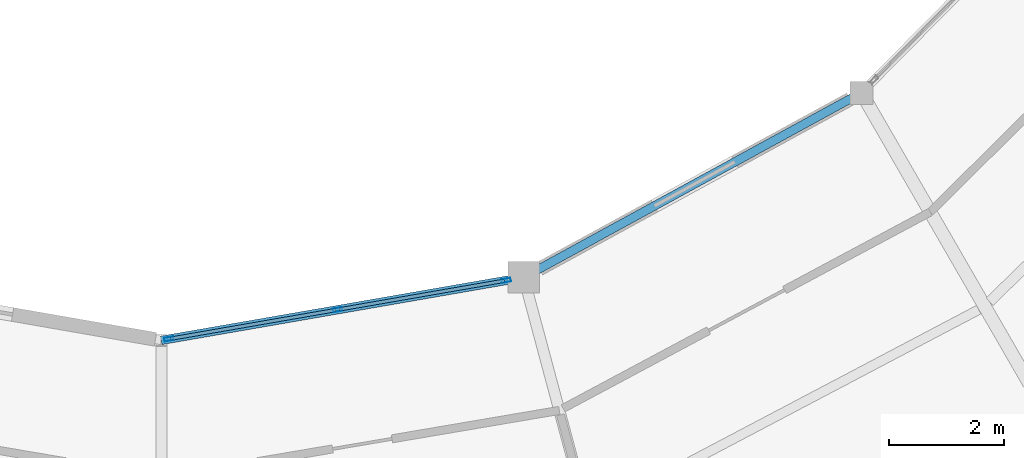
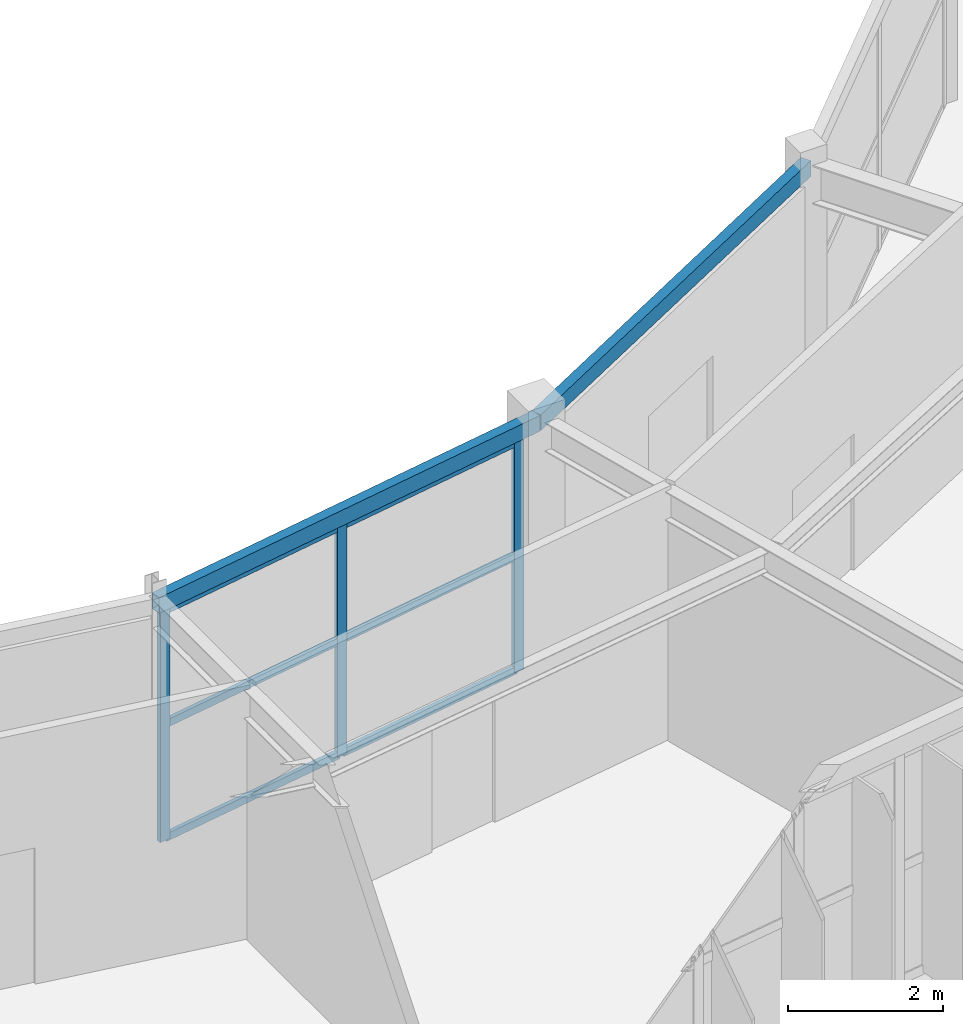
# One storey, part 44 of 130: 9 members, 2 beams, 1 element without a shape of its own.
"""IFC4 building model written with IfcOpenShell, lengths in metres."""

from ifc_helpers import new_model, si_unit, direction, frame, origin, origin_2d, place, context, subcontext, project, spatial, hollow_rectangle, extrude, material, material_profile, profile_set, type_object, element, aggregate, save


model = new_model("IFC4")

# Units and contexts
model_context = context("Model", 3, precision=1e-05, world=origin(), true_north=direction((0.0, 1.0)))
body_context = subcontext(model_context, "Body", "Model", "MODEL_VIEW")
ifc_project = project(units=[si_unit("LENGTHUNIT", "METRE"), si_unit("AREAUNIT", "SQUARE_METRE"), si_unit("VOLUMEUNIT", "CUBIC_METRE"), si_unit("PLANEANGLEUNIT", "RADIAN"), si_unit("MASSUNIT", "GRAM", prefix="KILO")], contexts=[model_context])

# Site, building, storey
site_placement = place(None, origin())
site = spatial("IfcSite", under=ifc_project, at=site_placement, CompositionType="ELEMENT")
building_placement = place(site_placement, origin())
building = spatial("IfcBuilding", under=site, at=building_placement, Name="Karori Crest Natural Sciences Institute", CompositionType="ELEMENT")
storey_placement = place(building_placement, frame((0.0, 0.0, 17.5)))
storey = spatial("IfcBuildingStorey", under=building, at=storey_placement, Name="L04", CompositionType="ELEMENT", Elevation=17.5)

# Beams
ifc_material_1 = material(Name="Hollow structural steel AS/NZS 1163 Grade C350", Category="steel")
ifc_material_profile_1 = material_profile(ifc_material_1, hollow_rectangle(XDim=0.14990234375, YDim=0.25, WallThickness=0.009033203125, at=origin_2d()), Name="RHS250x150x9")
ifc_profile_set_1 = profile_set([ifc_material_profile_1], Name="Hollow structural steel AS/NZS 1163 Grade C350")
beam_type = type_object("IfcBeamType", Name="BT-16", PredefinedType="SPANDREL", material=ifc_profile_set_1)
beam_1_placement = place(storey_placement, frame((66.39990234375, 17.699951171875, 3.7900390625), z_axis=(0.985241372425, 0.17117078624, 0.0), x_axis=(-0.17117078624, 0.985241372425, 0.0)))
element("IfcBeam", 1, at=beam_1_placement, inside=storey, type_object=beam_type, Name="Beam B-0519", PredefinedType="SPANDREL", context=body_context, shape_type="SweptSolid", body=[
    extrude(hollow_rectangle(XDim=0.14990234375, YDim=0.25, WallThickness=0.009033203125, at=origin_2d()), origin(), (0.0, 0.0, 1.0), 6.40966796875),
])
beam_2_placement = place(storey_placement, frame((72.715087890625, 18.797119140625, 3.7900390625), z_axis=(0.877469531616, 0.47963238119, 0.0), x_axis=(-0.47963238119, 0.877469531616, 0.0)))
element("IfcBeam", 2, at=beam_2_placement, inside=storey, type_object=beam_type, Name="Beam B-0523", PredefinedType="SPANDREL", context=body_context, shape_type="SweptSolid", body=[
    extrude(hollow_rectangle(XDim=0.14990234375, YDim=0.25, WallThickness=0.009033203125, at=origin_2d()), origin(), (0.0, 0.0, 1.0), 6.706787109375),
])

# Curtain wall, members
ifc_material_2 = material(Name="Anodised architectural aluminium 6063-T6", Category="aluminium")
curtain_wall_type = type_object("IfcCurtainWallType", Name="CWT-14", PredefinedType="NOTDEFINED", material=ifc_material_2)
curtain_wall_placement = place(storey_placement, origin())
curtain_wall = element("IfcCurtainWall", 3, at=curtain_wall_placement, inside=storey, type_object=curtain_wall_type, Name="Curtain wall CW-0164", PredefinedType="NOTDEFINED")
ifc_material_profile_2 = material_profile(ifc_material_2, hollow_rectangle(XDim=0.06494140625, YDim=0.159912109375, WallThickness=0.00390625, at=origin_2d()), Name="CWM160x65x4")
ifc_profile_set_2 = profile_set([ifc_material_profile_2], Name="Anodised architectural aluminium 6063-T6")
member_type_1 = type_object("IfcMemberType", Name="CWM-01", PredefinedType="MULLION", material=ifc_profile_set_2)
member_1_placement = place(storey_placement, frame((66.532470703125, 17.72314453125, 0.0), z_axis=(0.0, 0.0, 1.0), x_axis=(-0.171173924291, 0.985240827231, 0.0)))
member_1 = element("IfcMember", 4, at=member_1_placement, type_object=member_type_1, Name="CW-0164 mullion 1", PredefinedType="MULLION", context=body_context, shape_type="SweptSolid", body=[
    extrude(hollow_rectangle(XDim=0.06494140625, YDim=0.159912109375, WallThickness=0.00390625, at=origin_2d()), origin(), (0.0, 0.0, 1.0), 3.64990234375),
])
member_2_placement = place(storey_placement, frame((69.471435546875, 18.233642578125, 0.0), z_axis=(0.0, 0.0, 1.0), x_axis=(-0.171173924291, 0.985240827231, 0.0)))
member_2 = element("IfcMember", 5, at=member_2_placement, type_object=member_type_1, Name="CW-0164 mullion 2", PredefinedType="MULLION", context=body_context, shape_type="SweptSolid", body=[
    extrude(hollow_rectangle(XDim=0.06494140625, YDim=0.159912109375, WallThickness=0.00390625, at=origin_2d()), origin(), (0.0, 0.0, 1.0), 3.64990234375),
])
member_3_placement = place(storey_placement, frame((72.41015625, 18.744140625, 0.0), z_axis=(0.0, 0.0, 1.0), x_axis=(-0.171173924291, 0.985240827231, 0.0)))
member_3 = element("IfcMember", 6, at=member_3_placement, type_object=member_type_1, Name="CW-0164 mullion 3", PredefinedType="MULLION", context=body_context, shape_type="SweptSolid", body=[
    extrude(hollow_rectangle(XDim=0.06494140625, YDim=0.159912109375, WallThickness=0.00390625, at=origin_2d()), origin(), (0.0, 0.0, 1.0), 3.64990234375),
])
ifc_material_profile_3 = material_profile(ifc_material_2, hollow_rectangle(XDim=0.06005859375, YDim=0.1201171875, WallThickness=0.00390625, at=origin_2d()), Name="CWT120x60x4")
ifc_profile_set_3 = profile_set([ifc_material_profile_3], Name="Anodised architectural aluminium 6063-T6")
member_type_2 = type_object("IfcMemberType", Name="CWT-TR1", PredefinedType="USERDEFINED", material=ifc_profile_set_3)
member_4_placement = place(storey_placement, frame((66.564453125, 17.728515625, 0.030029296875), z_axis=(0.98523753612, 0.171192866149, 0.0), x_axis=(-0.171192866149, 0.98523753612, 0.0)))
member_4 = element("IfcMember", 7, at=member_4_placement, type_object=member_type_2, Name="CW-0164 transom 1.1", ObjectType="TRANSOM", PredefinedType="USERDEFINED", context=body_context, shape_type="SweptSolid", body=[
    extrude(hollow_rectangle(XDim=0.06005859375, YDim=0.1201171875, WallThickness=0.00390625, at=origin_2d()), origin(), (0.0, 0.0, 1.0), 2.917724609375),
])
member_5_placement = place(storey_placement, frame((66.564453125, 17.728515625, 1.824951171875), z_axis=(0.98523753612, 0.171192866149, 0.0), x_axis=(-0.171192866149, 0.98523753612, 0.0)))
member_5 = element("IfcMember", 8, at=member_5_placement, type_object=member_type_2, Name="CW-0164 transom 1.2", ObjectType="TRANSOM", PredefinedType="USERDEFINED", context=body_context, shape_type="SweptSolid", body=[
    extrude(hollow_rectangle(XDim=0.06005859375, YDim=0.1201171875, WallThickness=0.00390625, at=origin_2d()), origin(), (0.0, 0.0, 1.0), 2.917724609375),
])
member_6_placement = place(storey_placement, frame((66.564453125, 17.728515625, 3.6201171875), z_axis=(0.98523753612, 0.171192866149, 0.0), x_axis=(-0.171192866149, 0.98523753612, 0.0)))
member_6 = element("IfcMember", 9, at=member_6_placement, type_object=member_type_2, Name="CW-0164 transom 1.3", ObjectType="TRANSOM", PredefinedType="USERDEFINED", context=body_context, shape_type="SweptSolid", body=[
    extrude(hollow_rectangle(XDim=0.06005859375, YDim=0.1201171875, WallThickness=0.00390625, at=origin_2d()), origin(), (0.0, 0.0, 1.0), 2.917724609375),
])
member_7_placement = place(storey_placement, frame((69.50341796875, 18.2392578125, 0.030029296875), z_axis=(0.98523753612, 0.171192866149, 0.0), x_axis=(-0.171192866149, 0.98523753612, 0.0)))
member_7 = element("IfcMember", 10, at=member_7_placement, type_object=member_type_2, Name="CW-0164 transom 2.1", ObjectType="TRANSOM", PredefinedType="USERDEFINED", context=body_context, shape_type="SweptSolid", body=[
    extrude(hollow_rectangle(XDim=0.06005859375, YDim=0.1201171875, WallThickness=0.00390625, at=origin_2d()), origin(), (0.0, 0.0, 1.0), 2.917724609375),
])
member_8_placement = place(storey_placement, frame((69.50341796875, 18.2392578125, 1.824951171875), z_axis=(0.98523753612, 0.171192866149, 0.0), x_axis=(-0.171192866149, 0.98523753612, 0.0)))
member_8 = element("IfcMember", 11, at=member_8_placement, type_object=member_type_2, Name="CW-0164 transom 2.2", ObjectType="TRANSOM", PredefinedType="USERDEFINED", context=body_context, shape_type="SweptSolid", body=[
    extrude(hollow_rectangle(XDim=0.06005859375, YDim=0.1201171875, WallThickness=0.00390625, at=origin_2d()), origin(), (0.0, 0.0, 1.0), 2.917724609375),
])
member_9_placement = place(storey_placement, frame((69.50341796875, 18.2392578125, 3.6201171875), z_axis=(0.98523753612, 0.171192866149, 0.0), x_axis=(-0.171192866149, 0.98523753612, 0.0)))
member_9 = element("IfcMember", 12, at=member_9_placement, type_object=member_type_2, Name="CW-0164 transom 2.3", ObjectType="TRANSOM", PredefinedType="USERDEFINED", context=body_context, shape_type="SweptSolid", body=[
    extrude(hollow_rectangle(XDim=0.06005859375, YDim=0.1201171875, WallThickness=0.00390625, at=origin_2d()), origin(), (0.0, 0.0, 1.0), 2.917724609375),
])
aggregate(curtain_wall, [member_1, member_2, member_3, member_4, member_5, member_6, member_7, member_8, member_9])

save(model, "model.ifc")
